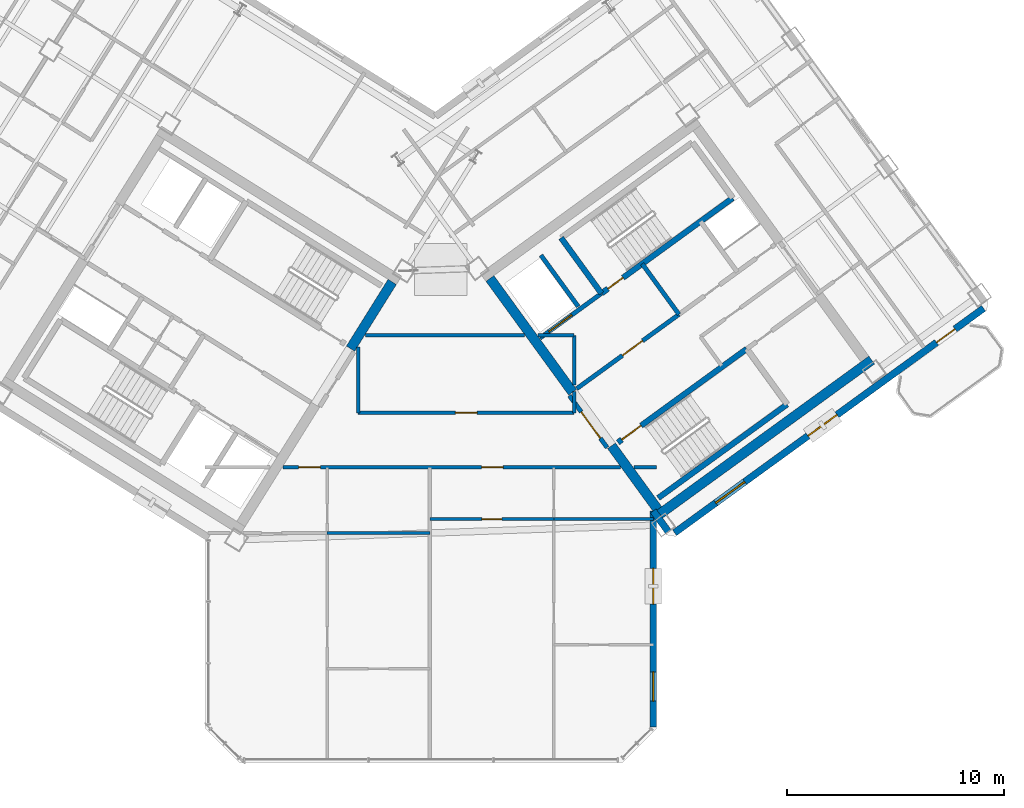
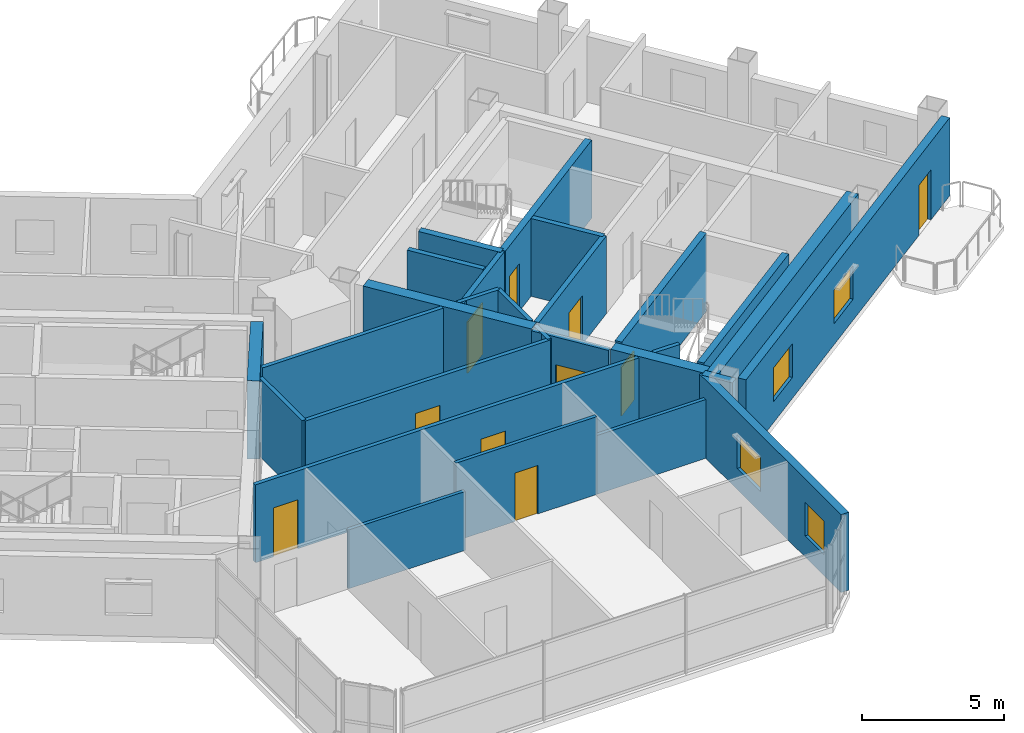
# One storey, part 15 of 23: 27 walls, 10 doors, 4 windows, 14 openings.
"""IFC4 building model written with IfcOpenShell, lengths in metres."""

from ifc_helpers import new_model, si_unit, direction, frame, frame_2d, origin, place, context, subcontext, project, spatial, rectangle, extrude, source, transform, mapped, material, layer, layer_set, type_object, element, fill, save


model = new_model("IFC4")

# Units and contexts
model_context = context("Model", 3, precision=1e-05, world=origin(), true_north=direction((0.0, 1.0)))
body_context = subcontext(model_context, "Body", "Model", "MODEL_VIEW")
ifc_project = project(units=[si_unit("LENGTHUNIT", "METRE"), si_unit("AREAUNIT", "SQUARE_METRE"), si_unit("VOLUMEUNIT", "CUBIC_METRE"), si_unit("PLANEANGLEUNIT", "RADIAN"), si_unit("MASSUNIT", "GRAM", prefix="KILO")], contexts=[model_context])

# Site, building, storey
site_placement = place(None, origin())
site = spatial("IfcSite", under=ifc_project, at=site_placement, CompositionType="ELEMENT")
building_placement = place(site_placement, origin())
building = spatial("IfcBuilding", under=site, at=building_placement, Name="Tlacorven Tower", CompositionType="ELEMENT")
storey_placement = place(building_placement, frame((0.0, 0.0, 218.39990234375)))
storey = spatial("IfcBuildingStorey", under=building, at=storey_placement, Name="L55", CompositionType="ELEMENT", Elevation=218.39990234375)

# Walls
ifc_material_1 = material(Name="Concrete C50/60", Category="concrete")
ifc_layer_1 = layer(ifc_material_1, 0.449951171875)
ifc_layer_set_1 = layer_set([ifc_layer_1], Name="Concrete C50/60")
wall_type_1 = type_object("IfcWallType", Name="WL-COR-450", PredefinedType="SHEAR", material=ifc_layer_set_1)
wall_1_placement = place(storey_placement, frame((40.220703125, 23.96484375, 0.0), z_axis=(0.0, 0.0, 1.0), x_axis=(-0.529902075036, -0.848058836916, 0.0)))
element("IfcWall", 1, at=wall_1_placement, inside=storey, type_object=wall_type_1, Name="L55 W core end wall E1.1", PredefinedType="SHEAR", context=body_context, shape_type="SweptSolid", body=[
    extrude(rectangle(XDim=3.625, YDim=0.449951171875, at=frame_2d((1.8125, 0.0))), origin(), (0.0, 0.0, 1.0), 3.35009765625),
])
wall_2_placement = place(storey_placement, frame((52.3994140625, 13.169189453125, 0.0), z_axis=(0.0, 0.0, 1.0), x_axis=(0.809022352778, 0.587777877013, 0.0)))
element("IfcWall", 2, at=wall_2_placement, inside=storey, type_object=wall_type_1, Name="L55 E core shear wall S1", PredefinedType="SHEAR", context=body_context, shape_type="SweptSolid", body=[
    extrude(rectangle(XDim=12.239990234375, YDim=0.449951171875, at=frame_2d((6.1201171875, 0.0))), origin(), (0.0, 0.0, 1.0), 3.35009765625),
])
wall_3_placement = place(storey_placement, frame((52.44921875, 13.4833984375, 0.0), z_axis=(0.0, 0.0, 1.0), x_axis=(-0.587819244441, 0.808992296542, 0.0)))
element("IfcWall", 3, at=wall_3_placement, inside=storey, type_object=wall_type_1, Name="L55 E core end wall E1.1", PredefinedType="SHEAR", context=body_context, shape_type="SweptSolid", body=[
    extrude(rectangle(XDim=3.625, YDim=0.449951171875, at=frame_2d((1.8125, 0.0))), origin(), (0.0, 0.0, 1.0), 3.35009765625),
])
wall_4_placement = place(storey_placement, frame((48.525634765625, 18.883544921875, 0.0), z_axis=(0.0, 0.0, 1.0), x_axis=(-0.587774812919, 0.809024578921, 0.0)))
element("IfcWall", 4, at=wall_4_placement, inside=storey, type_object=wall_type_1, Name="L55 E core end wall E1.2", PredefinedType="SHEAR", context=body_context, shape_type="SweptSolid", body=[
    extrude(rectangle(XDim=6.47509765625, YDim=0.449951171875, at=frame_2d((3.237548828125, 0.0))), origin(), (0.0, 0.0, 1.0), 3.35009765625),
])

# Wall, openings, doors
ifc_material_2 = material(Name="Gypsum plasterboard acoustic partition", Category="gypsum")
ifc_layer_2 = layer(ifc_material_2, 0.159912109375)
ifc_layer_set_2 = layer_set([ifc_layer_2], Name="Gypsum plasterboard acoustic partition")
wall_type_2 = type_object("IfcWallType", Name="WL-DEM-160", PredefinedType="PARTITIONING", material=ifc_layer_set_2)
wall_5_placement = place(storey_placement, frame((35.178466796875, 15.419921875, 0.0), z_axis=(0.0, 0.0, 1.0), x_axis=(1.0, 0.0, 0.0)))
wall_5 = element("IfcWall", 5, at=wall_5_placement, inside=storey, type_object=wall_type_2, Name="L55 Knuckle Corridor South Wall", PredefinedType="PARTITIONING", context=body_context, shape_type="SweptSolid", body=[
    extrude(rectangle(XDim=15.55224609375, YDim=0.159912109375, at=frame_2d((7.776123046875, 0.0))), origin(), (0.0, 0.0, 1.0), 3.340087890625),
])
opening_1_placement = place(wall_5_placement, frame((0.732666015625, 0.0, 0.0)))
opening_1 = element("IfcOpeningElement", 6, at=opening_1_placement, cuts=wall_5, Name="Opening D11", PredefinedType="OPENING", context=body_context, shape_type="SweptSolid", body=[
    extrude(rectangle(XDim=1.0, YDim=2.10009765625, at=frame_2d((0.5, 1.050048828125))), frame((0.0, 0.08984375, 0.0), z_axis=(0.0, -1.0, 0.0), x_axis=(1.0, 0.0, 0.0)), (0.0, 0.0, 1.0), 0.179931640625),
])
opening_2_placement = place(wall_5_placement, frame((9.153076171875, 0.0, 0.0)))
opening_2 = element("IfcOpeningElement", 7, at=opening_2_placement, cuts=wall_5, Name="Opening D11", PredefinedType="OPENING", context=body_context, shape_type="SweptSolid", body=[
    extrude(rectangle(XDim=1.0, YDim=2.10009765625, at=frame_2d((0.5, 1.050048828125))), frame((0.0, 0.08984375, 0.0), z_axis=(0.0, -1.0, 0.0), x_axis=(1.0, 0.0, 0.0)), (0.0, 0.0, 1.0), 0.179931640625),
])
ifc_material_3 = material(Name="Fire-rated steel door assembly", Category="steel")
door_type_1 = type_object("IfcDoorType", Name="DR-FLT-FD60-1000", OperationType="NOTDEFINED", PredefinedType="DOOR", material=ifc_material_3)
shared_shape_1 = source(origin(), body_context, "Body", "SweptSolid", [
    extrude(rectangle(XDim=1.0, YDim=2.10009765625, at=frame_2d((0.5, 1.050048828125))), frame((0.0, 0.02490234375, 0.0), z_axis=(0.0, -1.0, 0.0), x_axis=(1.0, 0.0, 0.0)), (0.0, 0.0, 1.0), 0.050048828125),
])
door_1_placement = place(opening_1_placement, frame((1.0, 0.0, 0.0), z_axis=(0.0, 0.0, 1.0), x_axis=(-1.0, 0.0, 0.0)))
door_1 = element("IfcDoor", 8, at=door_1_placement, inside=storey, type_object=door_type_1, Name="L55 door 045", OperationType="SINGLE_SWING_LEFT", OverallHeight=2.10009765625, OverallWidth=1.0, PredefinedType="DOOR", context=body_context, shape_type="MappedRepresentation", body=[
    mapped(shared_shape_1, transform((0.0, 0.0, 0.0), scale=1.0)),
])
fill(opening_1, door_1)
door_2_placement = place(opening_2_placement, frame((1.0, 0.0, 0.0), z_axis=(0.0, 0.0, 1.0), x_axis=(-1.0, 0.0, 0.0)))
door_2 = element("IfcDoor", 9, at=door_2_placement, inside=storey, type_object=door_type_1, Name="L55 door 050", OperationType="SINGLE_SWING_RIGHT", OverallHeight=2.10009765625, OverallWidth=1.0, PredefinedType="DOOR", context=body_context, shape_type="MappedRepresentation", body=[
    mapped(shared_shape_1, transform((0.0, 0.0, 0.0), scale=1.0)),
])
fill(opening_2, door_2)

# Wall
wall_6_placement = place(storey_placement, frame((51.353515625, 15.419921875, 0.0), z_axis=(0.0, 0.0, 1.0), x_axis=(1.0, 0.0, 0.0)))
element("IfcWall", 10, at=wall_6_placement, inside=storey, type_object=wall_type_2, Name="L55 Knuckle Corridor South Wall", PredefinedType="PARTITIONING", context=body_context, shape_type="SweptSolid", body=[
    extrude(rectangle(XDim=1.04638671875, YDim=0.159912109375, at=frame_2d((0.523193359375, 0.0))), origin(), (0.0, 0.0, 1.0), 3.340087890625),
])

# Wall, opening, door
wall_7_placement = place(storey_placement, frame((38.64990234375, 17.929931640625, 0.0), z_axis=(0.0, 0.0, 1.0), x_axis=(1.0, 0.0, 0.0)))
wall_7 = element("IfcWall", 11, at=wall_7_placement, inside=storey, type_object=wall_type_2, Name="L55 partition 63", PredefinedType="PARTITIONING", context=body_context, shape_type="SweptSolid", body=[
    extrude(rectangle(XDim=9.9501953125, YDim=0.159912109375, at=frame_2d((4.97509765625, 0.0))), origin(), (0.0, 0.0, 1.0), 3.340087890625),
])
opening_3_placement = place(wall_7_placement, frame((4.47509765625, 0.0, 0.0)))
opening_3 = element("IfcOpeningElement", 12, at=opening_3_placement, cuts=wall_7, Name="Opening D11", PredefinedType="OPENING", context=body_context, shape_type="SweptSolid", body=[
    extrude(rectangle(XDim=1.0, YDim=2.10009765625, at=frame_2d((0.5, 1.050048828125))), frame((0.0, 0.08984375, 0.0), z_axis=(0.0, -1.0, 0.0), x_axis=(1.0, 0.0, 0.0)), (0.0, 0.0, 1.0), 0.179931640625),
])
door_3_placement = place(opening_3_placement, origin())
door_3 = element("IfcDoor", 13, at=door_3_placement, inside=storey, type_object=door_type_1, Name="L55 door 040", OperationType="SINGLE_SWING_RIGHT", OverallHeight=2.10009765625, OverallWidth=1.0, PredefinedType="DOOR", context=body_context, shape_type="MappedRepresentation", body=[
    mapped(shared_shape_1, transform((0.0, 0.0, 0.0), scale=1.0)),
])
fill(opening_3, door_3)

# Walls
wall_8_placement = place(storey_placement, frame((38.64990234375, 17.929931640625, 0.0), z_axis=(0.0, 0.0, 1.0), x_axis=(0.0, 1.0, 0.0)))
element("IfcWall", 14, at=wall_8_placement, inside=storey, type_object=wall_type_2, Name="L55 partition 64", PredefinedType="PARTITIONING", context=body_context, shape_type="SweptSolid", body=[
    extrude(rectangle(XDim=3.045654296875, YDim=0.159912109375, at=frame_2d((1.52294921875, 0.0))), origin(), (0.0, 0.0, 1.0), 3.340087890625),
])
wall_9_placement = place(storey_placement, frame((48.60009765625, 17.929931640625, 0.0), z_axis=(0.0, 0.0, 1.0), x_axis=(0.0, 1.0, 0.0)))
element("IfcWall", 15, at=wall_9_placement, inside=storey, type_object=wall_type_2, Name="L55 partition 65", PredefinedType="PARTITIONING", context=body_context, shape_type="SweptSolid", body=[
    extrude(rectangle(XDim=0.99267578125, YDim=0.159912109375, at=frame_2d((0.496337890625, 0.0))), origin(), (0.0, 0.0, 1.0), 3.340087890625),
])
wall_10_placement = place(storey_placement, frame((48.60009765625, 19.2099609375, 0.0), z_axis=(0.0, 0.0, 1.0), x_axis=(0.0, 1.0, 0.0)))
element("IfcWall", 16, at=wall_10_placement, inside=storey, type_object=wall_type_2, Name="L55 partition 65", PredefinedType="PARTITIONING", context=body_context, shape_type="SweptSolid", body=[
    extrude(rectangle(XDim=2.2900390625, YDim=0.159912109375, at=frame_2d((1.14501953125, 0.0))), origin(), (0.0, 0.0, 1.0), 3.340087890625),
])
wall_11_placement = place(storey_placement, frame((38.9775390625, 21.5, 0.0), z_axis=(0.0, 0.0, 1.0), x_axis=(1.0, 0.0, 0.0)))
element("IfcWall", 17, at=wall_11_placement, inside=storey, type_object=wall_type_2, Name="L55 partition 66", PredefinedType="PARTITIONING", context=body_context, shape_type="SweptSolid", body=[
    extrude(rectangle(XDim=7.335693359375, YDim=0.159912109375, at=frame_2d((3.66796875, 0.0))), origin(), (0.0, 0.0, 1.0), 3.340087890625),
])
wall_12_placement = place(storey_placement, frame((46.936279296875, 21.5, 0.0), z_axis=(0.0, 0.0, 1.0), x_axis=(1.0, 0.0, 0.0)))
element("IfcWall", 18, at=wall_12_placement, inside=storey, type_object=wall_type_2, Name="L55 partition 66", PredefinedType="PARTITIONING", context=body_context, shape_type="SweptSolid", body=[
    extrude(rectangle(XDim=1.663818359375, YDim=0.159912109375, at=frame_2d((0.83203125, 0.0))), origin(), (0.0, 0.0, 1.0), 3.340087890625),
])

# Wall, openings, door, windows
ifc_material_4 = material(Name="Precast concrete C45/55", Category="concrete")
ifc_layer_3 = layer(ifc_material_4, 0.320068359375)
ifc_layer_set_3 = layer_set([ifc_layer_3], Name="Precast concrete C45/55")
wall_type_3 = type_object("IfcWallType", Name="WL-EXT-320", PredefinedType="STANDARD", material=ifc_layer_set_3)
wall_13_placement = place(storey_placement, frame((67.45361328125, 22.746826171875, 0.0), z_axis=(0.0, 0.0, 1.0), x_axis=(-0.809021120468, -0.587779573171, 0.0)))
wall_13 = element("IfcWall", 19, at=wall_13_placement, inside=storey, type_object=wall_type_3, Name="L55 Masonry-Frame Recessed Facade Wall 6", PredefinedType="STANDARD", context=body_context, shape_type="SweptSolid", body=[
    extrude(rectangle(XDim=17.587646484375, YDim=0.320068359375, at=frame_2d((8.7939453125, 0.0))), origin(), (0.0, 0.0, 1.0), 3.35009765625),
])
opening_4_placement = place(wall_13_placement, frame((1.623779296875, 0.0, 0.0)))
opening_4 = element("IfcOpeningElement", 20, at=opening_4_placement, cuts=wall_13, Name="Opening D06", PredefinedType="OPENING", context=body_context, shape_type="SweptSolid", body=[
    extrude(rectangle(XDim=1.050048828125, YDim=2.14990234375, at=frame_2d((0.52490234375, 1.074951171875))), frame((0.0, 0.169921875, 0.0), z_axis=(0.0, -1.0, 0.0), x_axis=(1.0, 0.0, 0.0)), (0.0, 0.0, 1.0), 0.340087890625),
])
opening_5_placement = place(wall_13_placement, frame((8.34375, 0.0, 0.89990234375)))
opening_5 = element("IfcOpeningElement", 21, at=opening_5_placement, cuts=wall_13, Name="Opening WN07", PredefinedType="OPENING", context=body_context, shape_type="SweptSolid", body=[
    extrude(rectangle(XDim=1.64990234375, YDim=1.449951171875, at=frame_2d((0.824951171875, 0.72509765625))), frame((0.0, 0.169921875, 0.0), z_axis=(0.0, -1.0, 0.0), x_axis=(1.0, 0.0, 0.0)), (0.0, 0.0, 1.0), 0.340087890625),
])
opening_6_placement = place(wall_13_placement, frame((13.59375, 0.0, 0.89990234375)))
opening_6 = element("IfcOpeningElement", 22, at=opening_6_placement, cuts=wall_13, Name="Opening WN07", PredefinedType="OPENING", context=body_context, shape_type="SweptSolid", body=[
    extrude(rectangle(XDim=1.64990234375, YDim=1.449951171875, at=frame_2d((0.824951171875, 0.72509765625))), frame((0.0, 0.169921875, 0.0), z_axis=(0.0, -1.0, 0.0), x_axis=(1.0, 0.0, 0.0)), (0.0, 0.0, 1.0), 0.340087890625),
])
ifc_material_5 = material(Name="Powder-coated aluminium and timber door", Category="wood")
door_type_2 = type_object("IfcDoorType", Name="DR-EXT-BALC-1050", OperationType="NOTDEFINED", PredefinedType="DOOR", material=ifc_material_5)
shared_shape_2 = source(origin(), body_context, "Body", "SweptSolid", [
    extrude(rectangle(XDim=1.050048828125, YDim=2.14990234375, at=frame_2d((0.52490234375, 1.074951171875))), frame((0.0, 0.02490234375, 0.0), z_axis=(0.0, -1.0, 0.0), x_axis=(1.0, 0.0, 0.0)), (0.0, 0.0, 1.0), 0.050048828125),
])
door_4_placement = place(opening_4_placement, origin())
door_4 = element("IfcDoor", 23, at=door_4_placement, inside=storey, type_object=door_type_2, Name="L55 Outdoor Access Door BAL-L55-E-OUT", OperationType="SINGLE_SWING_LEFT", OverallHeight=2.14990234375, OverallWidth=1.050048828125, PredefinedType="DOOR", context=body_context, shape_type="MappedRepresentation", body=[
    mapped(shared_shape_2, transform((0.0, 0.0, 0.0), scale=1.0)),
])
fill(opening_4, door_4)
ifc_material_6 = material(Name="Dark solar low-E double glazing in anodised aluminium frame", Category="aluminium")
window_type_1 = type_object("IfcWindowType", Name="WN-APT-1650X1600", PartitioningType="SINGLE_PANEL", PredefinedType="WINDOW", material=ifc_material_6)
shared_shape_3 = source(origin(), body_context, "Body", "SweptSolid", [
    extrude(rectangle(XDim=1.64990234375, YDim=1.449951171875, at=frame_2d((0.824951171875, 0.72509765625))), frame((0.0, 0.030029296875, 0.0), z_axis=(0.0, -1.0, 0.0), x_axis=(1.0, 0.0, 0.0)), (0.0, 0.0, 1.0), 0.06005859375),
])
window_1_placement = place(opening_5_placement, origin())
window_1 = element("IfcWindow", 24, at=window_1_placement, inside=storey, type_object=window_type_1, Name="L55 Recessed Masonry-Frame Window L55-06.1", OverallHeight=1.449951171875, OverallWidth=1.64990234375, PartitioningType="SINGLE_PANEL", PredefinedType="WINDOW", context=body_context, shape_type="MappedRepresentation", body=[
    mapped(shared_shape_3, transform((0.0, 0.0, 0.0), scale=1.0)),
])
fill(opening_5, window_1)
window_2_placement = place(opening_6_placement, origin())
window_2 = element("IfcWindow", 25, at=window_2_placement, inside=storey, type_object=window_type_1, Name="L55 Recessed Masonry-Frame Window L55-06.2", OverallHeight=1.449951171875, OverallWidth=1.64990234375, PartitioningType="SINGLE_PANEL", PredefinedType="WINDOW", context=body_context, shape_type="MappedRepresentation", body=[
    mapped(shared_shape_3, transform((0.0, 0.0, 0.0), scale=1.0)),
])
fill(opening_6, window_2)

# Wall
wall_14_placement = place(storey_placement, frame((52.936767578125, 12.454833984375, 0.0), z_axis=(0.0, 0.0, 1.0), x_axis=(-0.587706324018, 0.809074333241, 0.0)))
element("IfcWall", 26, at=wall_14_placement, inside=storey, type_object=wall_type_3, Name="L55 Masonry-Frame Recessed Facade Wall 7", PredefinedType="STANDARD", context=body_context, shape_type="SweptSolid", body=[
    extrude(rectangle(XDim=1.185546875, YDim=0.320068359375, at=frame_2d((0.5927734375, 0.0))), origin(), (0.0, 0.0, 1.0), 3.35009765625),
])

# Wall, openings, windows
wall_15_placement = place(storey_placement, frame((52.239990234375, 13.4140625, 0.0), z_axis=(0.0, 0.0, 1.0), x_axis=(0.0, -1.0, 0.0)))
wall_15 = element("IfcWall", 27, at=wall_15_placement, inside=storey, type_object=wall_type_3, Name="L55 Masonry-Frame Recessed Facade Wall 8", PredefinedType="STANDARD", context=body_context, shape_type="SweptSolid", body=[
    extrude(rectangle(XDim=9.94775390625, YDim=0.320068359375, at=frame_2d((4.973876953125, 0.0))), origin(), (0.0, 0.0, 1.0), 3.35009765625),
])
opening_7_placement = place(wall_15_placement, frame((2.642578125, 0.0, 0.89990234375)))
opening_7 = element("IfcOpeningElement", 28, at=opening_7_placement, cuts=wall_15, Name="Opening WN07", PredefinedType="OPENING", context=body_context, shape_type="SweptSolid", body=[
    extrude(rectangle(XDim=1.64990234375, YDim=1.449951171875, at=frame_2d((0.824951171875, 0.72509765625))), frame((0.0, 0.169921875, 0.0), z_axis=(0.0, -1.0, 0.0), x_axis=(1.0, 0.0, 0.0)), (0.0, 0.0, 1.0), 0.340087890625),
])
opening_8_placement = place(wall_15_placement, frame((7.408447265625, 0.0, 0.89990234375)))
opening_8 = element("IfcOpeningElement", 29, at=opening_8_placement, cuts=wall_15, Name="Opening WN08", PredefinedType="OPENING", context=body_context, shape_type="SweptSolid", body=[
    extrude(rectangle(XDim=1.35009765625, YDim=1.449951171875, at=frame_2d((0.675048828125, 0.72509765625))), frame((0.0, 0.169921875, 0.0), z_axis=(0.0, -1.0, 0.0), x_axis=(1.0, 0.0, 0.0)), (0.0, 0.0, 1.0), 0.340087890625),
])
window_3_placement = place(opening_7_placement, origin())
window_3 = element("IfcWindow", 30, at=window_3_placement, inside=storey, type_object=window_type_1, Name="L55 Recessed Masonry-Frame Window L55-08.1", OverallHeight=1.449951171875, OverallWidth=1.64990234375, PartitioningType="SINGLE_PANEL", PredefinedType="WINDOW", context=body_context, shape_type="MappedRepresentation", body=[
    mapped(shared_shape_3, transform((0.0, 0.0, 0.0), scale=1.0)),
])
fill(opening_7, window_3)
window_type_2 = type_object("IfcWindowType", Name="WN-APT-1350X1550", PartitioningType="SINGLE_PANEL", PredefinedType="WINDOW", material=ifc_material_6)
shared_shape_4 = source(origin(), body_context, "Body", "SweptSolid", [
    extrude(rectangle(XDim=1.35009765625, YDim=1.449951171875, at=frame_2d((0.675048828125, 0.72509765625))), frame((0.0, 0.030029296875, 0.0), z_axis=(0.0, -1.0, 0.0), x_axis=(1.0, 0.0, 0.0)), (0.0, 0.0, 1.0), 0.06005859375),
])
window_4_placement = place(opening_8_placement, origin())
window_4 = element("IfcWindow", 31, at=window_4_placement, inside=storey, type_object=window_type_2, Name="L55 Recessed Masonry-Frame Window L55-08.2", OverallHeight=1.449951171875, OverallWidth=1.35009765625, PartitioningType="SINGLE_PANEL", PredefinedType="WINDOW", context=body_context, shape_type="MappedRepresentation", body=[
    mapped(shared_shape_4, transform((0.0, 0.0, 0.0), scale=1.0)),
])
fill(opening_8, window_4)

# Wall
ifc_material_7 = material(Name="Moisture-resistant gypsum plumbing wall", Category="gypsum")
ifc_layer_4 = layer(ifc_material_7, 0.139892578125)
ifc_layer_set_4 = layer_set([ifc_layer_4], Name="Moisture-resistant gypsum plumbing wall")
wall_type_4 = type_object("IfcWallType", Name="WL-PLM-140", PredefinedType="PLUMBINGWALL", material=ifc_layer_set_4)
wall_16_placement = place(storey_placement, frame((37.221923828125, 12.389892578125, 0.0), z_axis=(0.0, 0.0, 1.0), x_axis=(1.0, 0.0, 0.0)))
element("IfcWall", 32, at=wall_16_placement, inside=storey, type_object=wall_type_4, Name="L55 partition 71", PredefinedType="PLUMBINGWALL", context=body_context, shape_type="SweptSolid", body=[
    extrude(rectangle(XDim=4.72802734375, YDim=0.139892578125, at=frame_2d((2.364013671875, 0.0))), origin(), (0.0, 0.0, 1.0), 2.525146484375),
])

# Wall, opening, door
wall_17_placement = place(storey_placement, frame((41.949951171875, 13.0400390625, 0.0), z_axis=(0.0, 0.0, 1.0), x_axis=(1.0, 0.0, 0.0)))
wall_17 = element("IfcWall", 33, at=wall_17_placement, inside=storey, type_object=wall_type_4, Name="L55 partition 74", PredefinedType="PLUMBINGWALL", context=body_context, shape_type="SweptSolid", body=[
    extrude(rectangle(XDim=5.713134765625, YDim=0.139892578125, at=frame_2d((2.8564453125, 0.0))), origin(), (0.0, 0.0, 1.0), 3.340087890625),
])
opening_9_placement = place(wall_17_placement, frame((2.396484375, 0.0, 0.0)))
opening_9 = element("IfcOpeningElement", 34, at=opening_9_placement, cuts=wall_17, Name="Opening D12", PredefinedType="OPENING", context=body_context, shape_type="SweptSolid", body=[
    extrude(rectangle(XDim=0.919921875, YDim=2.080078125, at=frame_2d((0.4599609375, 1.0400390625))), frame((0.0, 0.080078125, 0.0), z_axis=(0.0, -1.0, 0.0), x_axis=(1.0, 0.0, 0.0)), (0.0, 0.0, 1.0), 0.159912109375),
])
door_type_3 = type_object("IfcDoorType", Name="DR-INT-ROOM-0920", OperationType="NOTDEFINED", PredefinedType="DOOR", material=ifc_material_5)
shared_shape_5 = source(origin(), body_context, "Body", "SweptSolid", [
    extrude(rectangle(XDim=0.919921875, YDim=2.080078125, at=frame_2d((0.4599609375, 1.0400390625))), frame((0.0, 0.02490234375, 0.0), z_axis=(0.0, -1.0, 0.0), x_axis=(1.0, 0.0, 0.0)), (0.0, 0.0, 1.0), 0.050048828125),
])
door_5_placement = place(opening_9_placement, frame((0.919921875, 0.0, 0.0), z_axis=(0.0, 0.0, 1.0), x_axis=(-1.0, 0.0, 0.0)))
door_5 = element("IfcDoor", 35, at=door_5_placement, inside=storey, type_object=door_type_3, Name="L55 door 051", OperationType="SINGLE_SWING_LEFT", OverallHeight=2.080078125, OverallWidth=0.919921875, PredefinedType="DOOR", context=body_context, shape_type="MappedRepresentation", body=[
    mapped(shared_shape_5, transform((0.0, 0.0, 0.0), scale=1.0)),
])
fill(opening_9, door_5)

# Wall
wall_18_placement = place(storey_placement, frame((47.6630859375, 13.0400390625, 0.0), z_axis=(0.0, 0.0, 1.0), x_axis=(1.0, 0.0, 0.0)))
element("IfcWall", 36, at=wall_18_placement, inside=storey, type_object=wall_type_4, Name="L55 partition 75", PredefinedType="PLUMBINGWALL", context=body_context, shape_type="SweptSolid", body=[
    extrude(rectangle(XDim=4.596923828125, YDim=0.139892578125, at=frame_2d((2.29833984375, 0.0))), origin(), (0.0, 0.0, 1.0), 2.525146484375),
])

# Wall, opening, door
ifc_material_8 = material(Name="Concrete C40/50", Category="concrete")
ifc_layer_5 = layer(ifc_material_8, 0.199951171875)
ifc_layer_set_5 = layer_set([ifc_layer_5], Name="Concrete C40/50")
wall_type_5 = type_object("IfcWallType", Name="WL-SHF-200", PredefinedType="STANDARD", material=ifc_layer_set_5)
wall_19_placement = place(storey_placement, frame((47.02490234375, 21.3779296875, 0.0), z_axis=(0.0, 0.0, 1.0), x_axis=(0.809052869724, 0.587735870941, 0.0)))
wall_19 = element("IfcWall", 37, at=wall_19_placement, inside=storey, type_object=wall_type_5, Name="L55 Core E Firefighting Lift Shaft Front Wall", PredefinedType="STANDARD", context=body_context, shape_type="SweptSolid", body=[
    extrude(rectangle(XDim=3.498046875, YDim=0.199951171875, at=frame_2d((1.7490234375, 0.0))), origin(), (0.0, 0.0, 1.0), 3.340087890625),
])
opening_10_placement = place(wall_19_placement, frame((0.508056640625, 0.0, 0.0)))
opening_10 = element("IfcOpeningElement", 38, at=opening_10_placement, cuts=wall_19, Name="Opening LD03", PredefinedType="OPENING", context=body_context, shape_type="SweptSolid", body=[
    extrude(rectangle(XDim=1.300048828125, YDim=2.199951171875, at=frame_2d((0.64990234375, 1.10009765625))), frame((0.0, 0.10986328125, 0.0), z_axis=(0.0, -1.0, 0.0), x_axis=(1.0, 0.0, 0.0)), (0.0, 0.0, 1.0), 0.219970703125),
])
door_type_4 = type_object("IfcDoorType", Name="DR-LFT-SLID-1300", OperationType="DOUBLE_DOOR_SLIDING", PredefinedType="DOOR", material=ifc_material_3)
shared_shape_6 = source(origin(), body_context, "Body", "SweptSolid", [
    extrude(rectangle(XDim=1.300048828125, YDim=2.199951171875, at=frame_2d((0.64990234375, 1.10009765625))), frame((0.0, 0.02490234375, 0.0), z_axis=(0.0, -1.0, 0.0), x_axis=(1.0, 0.0, 0.0)), (0.0, 0.0, 1.0), 0.050048828125),
])
door_6_placement = place(opening_10_placement, origin())
door_6 = element("IfcDoor", 39, at=door_6_placement, inside=storey, type_object=door_type_4, Name="L55 Lift FFL-E1 Sliding Landing Door", OperationType="DOUBLE_DOOR_SLIDING", OverallHeight=2.199951171875, OverallWidth=1.300048828125, PredefinedType="DOOR", context=body_context, shape_type="MappedRepresentation", body=[
    mapped(shared_shape_6, transform((0.0, 0.0, 0.0), scale=1.0)),
])
fill(opening_10, door_6)

wall_20_placement = place(storey_placement, frame((48.7177734375, 19.0478515625, 0.0), z_axis=(0.0, 0.0, 1.0), x_axis=(0.809017261719, 0.587784884325, 0.0)))
wall_20 = element("IfcWall", 40, at=wall_20_placement, inside=storey, type_object=wall_type_5, Name="L55 Core E Smoke Lobby Wall", PredefinedType="STANDARD", context=body_context, shape_type="SweptSolid", body=[
    extrude(rectangle(XDim=5.81787109375, YDim=0.199951171875, at=frame_2d((2.908935546875, 0.0))), origin(), (0.0, 0.0, 1.0), 3.340087890625),
])
opening_11_placement = place(wall_20_placement, frame((2.597900390625, 0.0, 0.0)))
opening_11 = element("IfcOpeningElement", 41, at=opening_11_placement, cuts=wall_20, Name="Opening D09", PredefinedType="OPENING", context=body_context, shape_type="SweptSolid", body=[
    extrude(rectangle(XDim=1.14990234375, YDim=2.10009765625, at=frame_2d((0.574951171875, 1.050048828125))), frame((0.0, 0.10986328125, 0.0), z_axis=(0.0, -1.0, 0.0), x_axis=(1.0, 0.0, 0.0)), (0.0, 0.0, 1.0), 0.219970703125),
])
door_type_5 = type_object("IfcDoorType", Name="DR-FFL-FD60-1150", OperationType="NOTDEFINED", PredefinedType="DOOR", material=ifc_material_3)
shared_shape_7 = source(origin(), body_context, "Body", "SweptSolid", [
    extrude(rectangle(XDim=1.14990234375, YDim=2.10009765625, at=frame_2d((0.574951171875, 1.050048828125))), frame((0.0, 0.02490234375, 0.0), z_axis=(0.0, -1.0, 0.0), x_axis=(1.0, 0.0, 0.0)), (0.0, 0.0, 1.0), 0.050048828125),
])
door_7_placement = place(opening_11_placement, origin())
door_7 = element("IfcDoor", 42, at=door_7_placement, inside=storey, type_object=door_type_5, Name="L55 Firefighting Lobby E Fire Door", OperationType="SINGLE_SWING_RIGHT", OverallHeight=2.10009765625, OverallWidth=1.14990234375, PredefinedType="DOOR", context=body_context, shape_type="MappedRepresentation", body=[
    mapped(shared_shape_7, transform((0.0, 0.0, 0.0), scale=1.0)),
])
fill(opening_11, door_7)

# Walls
wall_21_placement = place(storey_placement, frame((48.78564453125, 22.830078125, 0.0), z_axis=(0.0, 0.0, 1.0), x_axis=(-0.587783856777, 0.809018008275, 0.0)))
element("IfcWall", 43, at=wall_21_placement, inside=storey, type_object=wall_type_5, Name="L55 partition 33", PredefinedType="STANDARD", context=body_context, shape_type="SweptSolid", body=[
    extrude(rectangle(XDim=2.919921875, YDim=0.199951171875, at=frame_2d((1.4599609375, 0.0))), origin(), (0.0, 0.0, 1.0), 3.340087890625),
])
wall_22_placement = place(storey_placement, frame((53.424560546875, 22.467529296875, 0.0), z_axis=(0.0, 0.0, 1.0), x_axis=(-0.5877230039, 0.809062216821, 0.0)))
element("IfcWall", 44, at=wall_22_placement, inside=storey, type_object=wall_type_5, Name="L55 partition 34", PredefinedType="STANDARD", context=body_context, shape_type="SweptSolid", body=[
    extrude(rectangle(XDim=2.8798828125, YDim=0.199951171875, at=frame_2d((1.43994140625, 0.0))), origin(), (0.0, 0.0, 1.0), 3.340087890625),
])

# Wall, opening, door
wall_23_placement = place(storey_placement, frame((50.119140625, 16.3330078125, 0.0), z_axis=(0.0, 0.0, 1.0), x_axis=(-0.587749856981, 0.809042709391, 0.0)))
wall_23 = element("IfcWall", 45, at=wall_23_placement, inside=storey, type_object=wall_type_5, Name="L55 partition 67", PredefinedType="STANDARD", context=body_context, shape_type="SweptSolid", body=[
    extrude(rectangle(XDim=2.9599609375, YDim=0.199951171875, at=frame_2d((1.47998046875, 0.0))), origin(), (0.0, 0.0, 1.0), 3.340087890625),
])
opening_12_placement = place(wall_23_placement, frame((0.530029296875, 0.0, 0.0)))
opening_12 = element("IfcOpeningElement", 46, at=opening_12_placement, cuts=wall_23, Name="Opening D10", PredefinedType="OPENING", context=body_context, shape_type="SweptSolid", body=[
    extrude(rectangle(XDim=1.5, YDim=2.14990234375, at=frame_2d((0.75, 1.074951171875))), frame((0.0, 0.10986328125, 0.0), z_axis=(0.0, -1.0, 0.0), x_axis=(1.0, 0.0, 0.0)), (0.0, 0.0, 1.0), 0.219970703125),
])
door_type_6 = type_object("IfcDoorType", Name="DR-LOB-FD60-1500", OperationType="DOUBLE_DOOR_SINGLE_SWING", PredefinedType="DOOR", material=ifc_material_3)
shared_shape_8 = source(origin(), body_context, "Body", "SweptSolid", [
    extrude(rectangle(XDim=1.5, YDim=2.14990234375, at=frame_2d((0.75, 1.074951171875))), frame((0.0, 0.02490234375, 0.0), z_axis=(0.0, -1.0, 0.0), x_axis=(1.0, 0.0, 0.0)), (0.0, 0.0, 1.0), 0.050048828125),
])
door_8_placement = place(opening_12_placement, frame((1.5, 0.0, 0.0), z_axis=(0.0, 0.0, 1.0), x_axis=(-1.0, 0.0, 0.0)))
door_8 = element("IfcDoor", 47, at=door_8_placement, inside=storey, type_object=door_type_6, Name="L55 door 042", OperationType="DOUBLE_DOOR_SINGLE_SWING", OverallHeight=2.14990234375, OverallWidth=1.5, PredefinedType="DOOR", context=body_context, shape_type="MappedRepresentation", body=[
    mapped(shared_shape_8, transform((0.0, 0.0, 0.0), scale=1.0)),
])
fill(opening_12, door_8)

ifc_layer_6 = layer(ifc_material_1, 0.260009765625)
ifc_layer_set_6 = layer_set([ifc_layer_6], Name="Concrete C50/60")
wall_type_6 = type_object("IfcWallType", Name="WL-STW-260", PredefinedType="SHEAR", material=ifc_layer_set_6)
wall_24_placement = place(storey_placement, frame((49.863037109375, 23.439697265625, 0.0), z_axis=(0.0, 0.0, 1.0), x_axis=(0.809003474932, 0.587803859759, 0.0)))
wall_24 = element("IfcWall", 48, at=wall_24_placement, inside=storey, type_object=wall_type_6, Name="L55 Stair E1 Lobby Shear Wall", PredefinedType="SHEAR", context=body_context, shape_type="SweptSolid", body=[
    extrude(rectangle(XDim=7.4599609375, YDim=0.260009765625, at=frame_2d((3.72998046875, 0.0))), origin(), (0.0, 0.0, 1.0), 3.35009765625),
])
opening_13_placement = place(wall_24_placement, frame((0.360107421875, 0.0, 0.0)))
opening_13 = element("IfcOpeningElement", 49, at=opening_13_placement, cuts=wall_24, Name="Opening D19", PredefinedType="OPENING", context=body_context, shape_type="SweptSolid", body=[
    extrude(rectangle(XDim=0.860107421875, YDim=2.050048828125, at=frame_2d((0.43017578125, 1.02490234375))), frame((0.0, 0.14013671875, 0.0), z_axis=(0.0, -1.0, 0.0), x_axis=(1.0, 0.0, 0.0)), (0.0, 0.0, 1.0), 0.280029296875),
])
door_type_7 = type_object("IfcDoorType", Name="DR-RSR-FD60-0860", OperationType="NOTDEFINED", PredefinedType="DOOR", material=ifc_material_3)
shared_shape_9 = source(origin(), body_context, "Body", "SweptSolid", [
    extrude(rectangle(XDim=0.860107421875, YDim=2.050048828125, at=frame_2d((0.43017578125, 1.02490234375))), frame((0.0, 0.02490234375, 0.0), z_axis=(0.0, -1.0, 0.0), x_axis=(1.0, 0.0, 0.0)), (0.0, 0.0, 1.0), 0.050048828125),
])
door_9_placement = place(opening_13_placement, frame((0.860107421875, 0.0, 0.0), z_axis=(0.0, 0.0, 1.0), x_axis=(-1.0, 0.0, 0.0)))
door_9 = element("IfcDoor", 50, at=door_9_placement, inside=storey, type_object=door_type_7, Name="L55 Exit Stair E1 Fire Door", OperationType="SINGLE_SWING_LEFT", OverallHeight=2.050048828125, OverallWidth=0.860107421875, PredefinedType="DOOR", context=body_context, shape_type="MappedRepresentation", body=[
    mapped(shared_shape_9, transform((0.0, 0.0, 0.0), scale=1.0)),
])
fill(opening_13, door_9)

# Walls
wall_25_placement = place(storey_placement, frame((49.85498046875, 23.433837890625, 0.0), z_axis=(0.0, 0.0, 1.0), x_axis=(-0.58776738483, 0.809029975545, 0.0)))
element("IfcWall", 51, at=wall_25_placement, inside=storey, type_object=wall_type_6, Name="L55 Stair E1 West Shear Wall", PredefinedType="SHEAR", context=body_context, shape_type="SweptSolid", body=[
    extrude(rectangle(XDim=3.16015625, YDim=0.260009765625, at=frame_2d((1.580078125, 0.0))), origin(), (0.0, 0.0, 1.0), 3.35009765625),
])
wall_26_placement = place(storey_placement, frame((52.47216796875, 14.01318359375, 0.0), z_axis=(0.0, 0.0, 1.0), x_axis=(0.809028366311, 0.587769599847, 0.0)))
element("IfcWall", 52, at=wall_26_placement, inside=storey, type_object=wall_type_6, Name="L55 Stair E2 Far Shear Wall", PredefinedType="SHEAR", context=body_context, shape_type="SweptSolid", body=[
    extrude(rectangle(XDim=7.330078125, YDim=0.260009765625, at=frame_2d((3.6650390625, 0.0))), origin(), (0.0, 0.0, 1.0), 3.35009765625),
])

# Wall, opening, door
wall_27_placement = place(storey_placement, frame((50.61474609375, 16.569580078125, 0.0), z_axis=(0.0, 0.0, 1.0), x_axis=(0.809028366311, 0.587769599847, 0.0)))
wall_27 = element("IfcWall", 53, at=wall_27_placement, inside=storey, type_object=wall_type_6, Name="L55 Stair E2 Lobby Shear Wall", PredefinedType="SHEAR", context=body_context, shape_type="SweptSolid", body=[
    extrude(rectangle(XDim=7.330078125, YDim=0.260009765625, at=frame_2d((3.6650390625, 0.0))), origin(), (0.0, 0.0, 1.0), 3.35009765625),
])
opening_14_placement = place(wall_27_placement, frame((0.219970703125, 0.0, 0.0)))
opening_14 = element("IfcOpeningElement", 54, at=opening_14_placement, cuts=wall_27, Name="Opening D07", PredefinedType="OPENING", context=body_context, shape_type="SweptSolid", body=[
    extrude(rectangle(XDim=1.10009765625, YDim=2.10009765625, at=frame_2d((0.550048828125, 1.050048828125))), frame((0.0, 0.14013671875, 0.0), z_axis=(0.0, -1.0, 0.0), x_axis=(1.0, 0.0, 0.0)), (0.0, 0.0, 1.0), 0.280029296875),
])
door_type_8 = type_object("IfcDoorType", Name="DR-STR-FD90-1100", OperationType="NOTDEFINED", PredefinedType="DOOR", material=ifc_material_3)
shared_shape_10 = source(origin(), body_context, "Body", "SweptSolid", [
    extrude(rectangle(XDim=1.10009765625, YDim=2.10009765625, at=frame_2d((0.550048828125, 1.050048828125))), frame((0.0, 0.02490234375, 0.0), z_axis=(0.0, -1.0, 0.0), x_axis=(1.0, 0.0, 0.0)), (0.0, 0.0, 1.0), 0.050048828125),
])
door_10_placement = place(opening_14_placement, origin())
door_10 = element("IfcDoor", 55, at=door_10_placement, inside=storey, type_object=door_type_8, Name="L55 Exit Stair E2 Fire Door", OperationType="SINGLE_SWING_LEFT", OverallHeight=2.10009765625, OverallWidth=1.10009765625, PredefinedType="DOOR", context=body_context, shape_type="MappedRepresentation", body=[
    mapped(shared_shape_10, transform((0.0, 0.0, 0.0), scale=1.0)),
])
fill(opening_14, door_10)

save(model, "model.ifc")
